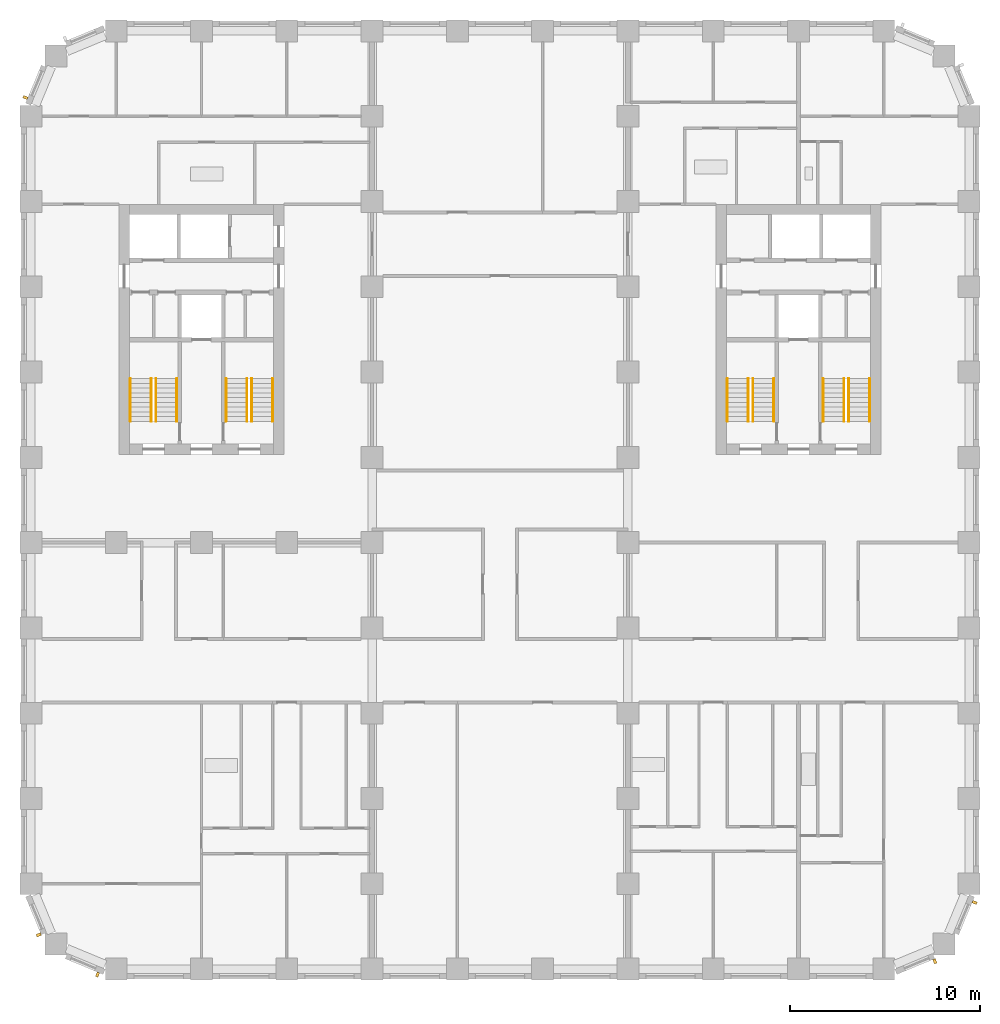
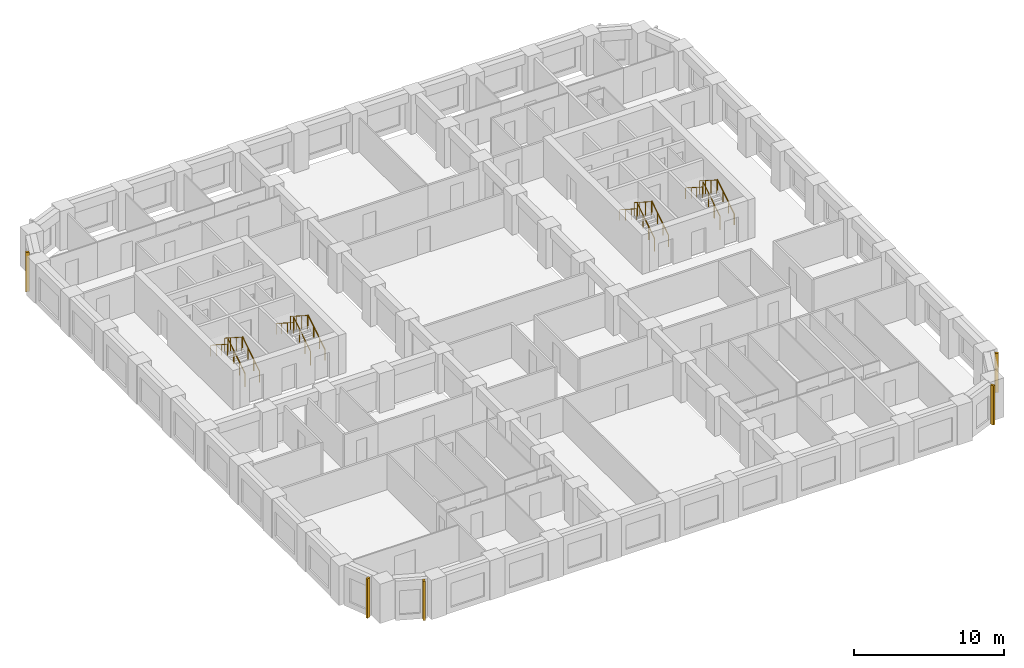
# One storey, part 10 of 12: 16 railings, 5 shading devices.
"""IFC4 building model written with IfcOpenShell, lengths in metres."""

from ifc_helpers import new_model, si_unit, direction, frame, origin, origin_2d, place, context, subcontext, project, spatial, rectangle, circle, extrude, material, type_object, element, save


model = new_model("IFC4")

# Units and contexts
model_context = context("Model", 3, precision=1e-05, world=origin(), true_north=direction((0.0, 1.0)))
body_context = subcontext(model_context, "Body", "Model", "MODEL_VIEW")
ifc_project = project(units=[si_unit("LENGTHUNIT", "METRE"), si_unit("AREAUNIT", "SQUARE_METRE"), si_unit("VOLUMEUNIT", "CUBIC_METRE"), si_unit("PLANEANGLEUNIT", "RADIAN"), si_unit("MASSUNIT", "GRAM", prefix="KILO")], contexts=[model_context])

# Site, building, storey
site_placement = place(None, origin())
site = spatial("IfcSite", under=ifc_project, at=site_placement, CompositionType="ELEMENT")
building_placement = place(site_placement, origin())
building = spatial("IfcBuilding", under=site, at=building_placement, Name="Girih Gate Residences", CompositionType="ELEMENT")
storey_placement = place(building_placement, frame((0.0, 0.0, 108.800048828125)))
storey = spatial("IfcBuildingStorey", under=building, at=storey_placement, Name="L30", CompositionType="ELEMENT", Elevation=108.800048828125)

# Shading devices
ifc_material_1 = material(Name="Precast concrete C50/60", Category="concrete")
shading_device_type = type_object("IfcShadingDeviceType", Name="Corner rib 150x250", PredefinedType="USERDEFINED", material=ifc_material_1)
for number, where, z_axis, x_axis, name in (
    (1, (0.412353515625, 1.8056640625, 0.0), (0.0, 0.0, 1.0), (0.382683432365, -0.923879532511, 0.0), "Corner rib SW0000_0045.0"),
    (2, (3.514892578125, -0.29541015625, 0.0), (0.0, 0.0, 1.0), (0.923879532511, -0.382683432365, 0.0), "Corner rib SW0013_0013.0"),
    (3, (47.6943359375, 0.412353515625, 0.0), (0.0, 0.0, 1.0), (0.923879532511, 0.382683432365, 0.0), "Corner rib SE0450_0000.0"),
    (4, (49.79541015625, 3.514892578125, 0.0), (0.0, 0.0, 1.0), (0.382683432365, 0.923879532511, 0.0), "Corner rib SE0482_0013.0"),
    (5, (-0.29541015625, 45.985107421875, 0.0), (0.0, 0.0, 1.0), (-0.382683432365, -0.923879532511, 0.0), "Corner rib NW0013_0482.0"),
):
    element("IfcShadingDevice", number, at=place(storey_placement, frame(where, z_axis=z_axis, x_axis=x_axis)), inside=storey, type_object=shading_device_type, Name=name, ObjectType="FIN", PredefinedType="USERDEFINED", context=body_context, shape_type="SweptSolid", body=[
        extrude(rectangle(XDim=0.14990234375, YDim=0.25, at=origin_2d()), origin(), (0.0, 0.0, 1.0), 3.199951171875),
    ])

# Railings
ifc_material_2 = material(Name="Stainless steel", Category="steel")
railing_type_1 = type_object("IfcRailingType", Name="Stair guard 1100", PredefinedType="GUARDRAIL", material=ifc_material_2)
railing_1_placement = place(storey_placement, frame((6.60009765625, 28.89990234375, 0.159912109375)))
element("IfcRailing", 6, at=railing_1_placement, inside=storey, type_object=railing_type_1, Name="L30 ST-W1 stair guard 1", PredefinedType="GUARDRAIL", context=body_context, shape_type="SweptSolid", body=[
    extrude(circle(Radius=0.02392578125, at=origin_2d()), frame((0.0, 0.0, 1.076171875), z_axis=(0.0, 0.842281359387, 0.539038135598), x_axis=(-1.0, 0.0, 0.0)), (0.0, 0.0, 1.0), 2.67138671875),
    extrude(circle(Radius=0.02099609375, at=origin_2d()), origin(), (0.0, 0.0, 1.0), 1.052001953125),
    extrude(circle(Radius=0.02099609375, at=origin_2d()), frame((0.0, 0.75, 0.47998046875)), (0.0, 0.0, 1.0), 1.052001953125),
    extrude(circle(Radius=0.02099609375, at=origin_2d()), frame((0.0, 1.5, 0.9599609375)), (0.0, 0.0, 1.0), 1.052001953125),
    extrude(circle(Radius=0.02099609375, at=origin_2d()), frame((0.0, 2.25, 1.43994140625)), (0.0, 0.0, 1.0), 1.052001953125),
])
railing_2_placement = place(storey_placement, frame((6.35009765625, 31.14990234375, 1.760009765625)))
element("IfcRailing", 7, at=railing_2_placement, inside=storey, type_object=railing_type_1, Name="L30 ST-W1 stair guard 2", PredefinedType="GUARDRAIL", context=body_context, shape_type="SweptSolid", body=[
    extrude(circle(Radius=0.02392578125, at=origin_2d()), frame((0.0, 0.0, 1.076171875), z_axis=(0.0, -0.842281359387, 0.539038135598), x_axis=(1.0, 0.0, 0.0)), (0.0, 0.0, 1.0), 2.67138671875),
    extrude(circle(Radius=0.02099609375, at=origin_2d()), origin(), (0.0, 0.0, 1.0), 1.052001953125),
    extrude(circle(Radius=0.02099609375, at=origin_2d()), frame((0.0, -0.75, 0.47998046875)), (0.0, 0.0, 1.0), 1.052001953125),
    extrude(circle(Radius=0.02099609375, at=origin_2d()), frame((0.0, -1.5, 0.9599609375)), (0.0, 0.0, 1.0), 1.052001953125),
    extrude(circle(Radius=0.02099609375, at=origin_2d()), frame((0.0, -2.25, 1.43994140625)), (0.0, 0.0, 1.0), 1.052001953125),
])
railing_3_placement = place(storey_placement, frame((11.64990234375, 28.89990234375, 0.159912109375)))
element("IfcRailing", 8, at=railing_3_placement, inside=storey, type_object=railing_type_1, Name="L30 ST-W2 stair guard 1", PredefinedType="GUARDRAIL", context=body_context, shape_type="SweptSolid", body=[
    extrude(circle(Radius=0.02392578125, at=origin_2d()), frame((0.0, 0.0, 1.076171875), z_axis=(0.0, 0.842281359387, 0.539038135598), x_axis=(-1.0, 0.0, 0.0)), (0.0, 0.0, 1.0), 2.67138671875),
    extrude(circle(Radius=0.02099609375, at=origin_2d()), origin(), (0.0, 0.0, 1.0), 1.052001953125),
    extrude(circle(Radius=0.02099609375, at=origin_2d()), frame((0.0, 0.75, 0.47998046875)), (0.0, 0.0, 1.0), 1.052001953125),
    extrude(circle(Radius=0.02099609375, at=origin_2d()), frame((0.0, 1.5, 0.9599609375)), (0.0, 0.0, 1.0), 1.052001953125),
    extrude(circle(Radius=0.02099609375, at=origin_2d()), frame((0.0, 2.25, 1.43994140625)), (0.0, 0.0, 1.0), 1.052001953125),
])
railing_4_placement = place(storey_placement, frame((11.39990234375, 31.14990234375, 1.760009765625)))
element("IfcRailing", 9, at=railing_4_placement, inside=storey, type_object=railing_type_1, Name="L30 ST-W2 stair guard 2", PredefinedType="GUARDRAIL", context=body_context, shape_type="SweptSolid", body=[
    extrude(circle(Radius=0.02392578125, at=origin_2d()), frame((0.0, 0.0, 1.076171875), z_axis=(0.0, -0.842281359387, 0.539038135598), x_axis=(1.0, 0.0, 0.0)), (0.0, 0.0, 1.0), 2.67138671875),
    extrude(circle(Radius=0.02099609375, at=origin_2d()), origin(), (0.0, 0.0, 1.0), 1.052001953125),
    extrude(circle(Radius=0.02099609375, at=origin_2d()), frame((0.0, -0.75, 0.47998046875)), (0.0, 0.0, 1.0), 1.052001953125),
    extrude(circle(Radius=0.02099609375, at=origin_2d()), frame((0.0, -1.5, 0.9599609375)), (0.0, 0.0, 1.0), 1.052001953125),
    extrude(circle(Radius=0.02099609375, at=origin_2d()), frame((0.0, -2.25, 1.43994140625)), (0.0, 0.0, 1.0), 1.052001953125),
])
railing_5_placement = place(storey_placement, frame((43.14990234375, 28.89990234375, 0.159912109375)))
element("IfcRailing", 10, at=railing_5_placement, inside=storey, type_object=railing_type_1, Name="L30 ST-E1 stair guard 1", PredefinedType="GUARDRAIL", context=body_context, shape_type="SweptSolid", body=[
    extrude(circle(Radius=0.02392578125, at=origin_2d()), frame((0.0, 0.0, 1.076171875), z_axis=(0.0, 0.842281359387, 0.539038135598), x_axis=(-1.0, 0.0, 0.0)), (0.0, 0.0, 1.0), 2.67138671875),
    extrude(circle(Radius=0.02099609375, at=origin_2d()), origin(), (0.0, 0.0, 1.0), 1.052001953125),
    extrude(circle(Radius=0.02099609375, at=origin_2d()), frame((0.0, 0.75, 0.47998046875)), (0.0, 0.0, 1.0), 1.052001953125),
    extrude(circle(Radius=0.02099609375, at=origin_2d()), frame((0.0, 1.5, 0.9599609375)), (0.0, 0.0, 1.0), 1.052001953125),
    extrude(circle(Radius=0.02099609375, at=origin_2d()), frame((0.0, 2.25, 1.43994140625)), (0.0, 0.0, 1.0), 1.052001953125),
])
railing_6_placement = place(storey_placement, frame((42.89990234375, 31.14990234375, 1.760009765625)))
element("IfcRailing", 11, at=railing_6_placement, inside=storey, type_object=railing_type_1, Name="L30 ST-E1 stair guard 2", PredefinedType="GUARDRAIL", context=body_context, shape_type="SweptSolid", body=[
    extrude(circle(Radius=0.02392578125, at=origin_2d()), frame((0.0, 0.0, 1.076171875), z_axis=(0.0, -0.842281359387, 0.539038135598), x_axis=(1.0, 0.0, 0.0)), (0.0, 0.0, 1.0), 2.67138671875),
    extrude(circle(Radius=0.02099609375, at=origin_2d()), origin(), (0.0, 0.0, 1.0), 1.052001953125),
    extrude(circle(Radius=0.02099609375, at=origin_2d()), frame((0.0, -0.75, 0.47998046875)), (0.0, 0.0, 1.0), 1.052001953125),
    extrude(circle(Radius=0.02099609375, at=origin_2d()), frame((0.0, -1.5, 0.9599609375)), (0.0, 0.0, 1.0), 1.052001953125),
    extrude(circle(Radius=0.02099609375, at=origin_2d()), frame((0.0, -2.25, 1.43994140625)), (0.0, 0.0, 1.0), 1.052001953125),
])
railing_7_placement = place(storey_placement, frame((38.10009765625, 28.89990234375, 0.159912109375)))
element("IfcRailing", 12, at=railing_7_placement, inside=storey, type_object=railing_type_1, Name="L30 ST-E2 stair guard 1", PredefinedType="GUARDRAIL", context=body_context, shape_type="SweptSolid", body=[
    extrude(circle(Radius=0.02392578125, at=origin_2d()), frame((0.0, 0.0, 1.076171875), z_axis=(0.0, 0.842281359387, 0.539038135598), x_axis=(-1.0, 0.0, 0.0)), (0.0, 0.0, 1.0), 2.67138671875),
    extrude(circle(Radius=0.02099609375, at=origin_2d()), origin(), (0.0, 0.0, 1.0), 1.052001953125),
    extrude(circle(Radius=0.02099609375, at=origin_2d()), frame((0.0, 0.75, 0.47998046875)), (0.0, 0.0, 1.0), 1.052001953125),
    extrude(circle(Radius=0.02099609375, at=origin_2d()), frame((0.0, 1.5, 0.9599609375)), (0.0, 0.0, 1.0), 1.052001953125),
    extrude(circle(Radius=0.02099609375, at=origin_2d()), frame((0.0, 2.25, 1.43994140625)), (0.0, 0.0, 1.0), 1.052001953125),
])
railing_8_placement = place(storey_placement, frame((37.85009765625, 31.14990234375, 1.760009765625)))
element("IfcRailing", 13, at=railing_8_placement, inside=storey, type_object=railing_type_1, Name="L30 ST-E2 stair guard 2", PredefinedType="GUARDRAIL", context=body_context, shape_type="SweptSolid", body=[
    extrude(circle(Radius=0.02392578125, at=origin_2d()), frame((0.0, 0.0, 1.076171875), z_axis=(0.0, -0.842281359387, 0.539038135598), x_axis=(1.0, 0.0, 0.0)), (0.0, 0.0, 1.0), 2.67138671875),
    extrude(circle(Radius=0.02099609375, at=origin_2d()), origin(), (0.0, 0.0, 1.0), 1.052001953125),
    extrude(circle(Radius=0.02099609375, at=origin_2d()), frame((0.0, -0.75, 0.47998046875)), (0.0, 0.0, 1.0), 1.052001953125),
    extrude(circle(Radius=0.02099609375, at=origin_2d()), frame((0.0, -1.5, 0.9599609375)), (0.0, 0.0, 1.0), 1.052001953125),
    extrude(circle(Radius=0.02099609375, at=origin_2d()), frame((0.0, -2.25, 1.43994140625)), (0.0, 0.0, 1.0), 1.052001953125),
])
railing_type_2 = type_object("IfcRailingType", Name="Stair handrail 900", PredefinedType="HANDRAIL", material=ifc_material_2)
railing_9_placement = place(storey_placement, frame((7.699951171875, 28.89990234375, 0.159912109375)))
element("IfcRailing", 14, at=railing_9_placement, inside=storey, type_object=railing_type_2, Name="L30 ST-W1 stair handrail 1", PredefinedType="HANDRAIL", context=body_context, shape_type="SweptSolid", body=[
    extrude(circle(Radius=0.02392578125, at=origin_2d()), frame((0.0, 0.0, 0.8857421875), z_axis=(0.0, 0.842281359387, 0.539038135598), x_axis=(-1.0, 0.0, 0.0)), (0.0, 0.0, 1.0), 2.67138671875),
    extrude(circle(Radius=0.02099609375, at=origin_2d()), origin(), (0.0, 0.0, 1.0), 0.86181640625),
    extrude(circle(Radius=0.02099609375, at=origin_2d()), frame((0.0, 0.75, 0.47998046875)), (0.0, 0.0, 1.0), 0.86181640625),
    extrude(circle(Radius=0.02099609375, at=origin_2d()), frame((0.0, 1.5, 0.9599609375)), (0.0, 0.0, 1.0), 0.86181640625),
    extrude(circle(Radius=0.02099609375, at=origin_2d()), frame((0.0, 2.25, 1.43994140625)), (0.0, 0.0, 1.0), 0.86181640625),
])
railing_10_placement = place(storey_placement, frame((5.25, 31.14990234375, 1.760009765625)))
element("IfcRailing", 15, at=railing_10_placement, inside=storey, type_object=railing_type_2, Name="L30 ST-W1 stair handrail 2", PredefinedType="HANDRAIL", context=body_context, shape_type="SweptSolid", body=[
    extrude(circle(Radius=0.02392578125, at=origin_2d()), frame((0.0, 0.0, 0.8857421875), z_axis=(0.0, -0.842281359387, 0.539038135598), x_axis=(1.0, 0.0, 0.0)), (0.0, 0.0, 1.0), 2.67138671875),
    extrude(circle(Radius=0.02099609375, at=origin_2d()), origin(), (0.0, 0.0, 1.0), 0.86181640625),
    extrude(circle(Radius=0.02099609375, at=origin_2d()), frame((0.0, -0.75, 0.47998046875)), (0.0, 0.0, 1.0), 0.86181640625),
    extrude(circle(Radius=0.02099609375, at=origin_2d()), frame((0.0, -1.5, 0.9599609375)), (0.0, 0.0, 1.0), 0.86181640625),
    extrude(circle(Radius=0.02099609375, at=origin_2d()), frame((0.0, -2.25, 1.43994140625)), (0.0, 0.0, 1.0), 0.86181640625),
])
railing_11_placement = place(storey_placement, frame((12.75, 28.89990234375, 0.159912109375)))
element("IfcRailing", 16, at=railing_11_placement, inside=storey, type_object=railing_type_2, Name="L30 ST-W2 stair handrail 1", PredefinedType="HANDRAIL", context=body_context, shape_type="SweptSolid", body=[
    extrude(circle(Radius=0.02392578125, at=origin_2d()), frame((0.0, 0.0, 0.8857421875), z_axis=(0.0, 0.842281359387, 0.539038135598), x_axis=(-1.0, 0.0, 0.0)), (0.0, 0.0, 1.0), 2.67138671875),
    extrude(circle(Radius=0.02099609375, at=origin_2d()), origin(), (0.0, 0.0, 1.0), 0.86181640625),
    extrude(circle(Radius=0.02099609375, at=origin_2d()), frame((0.0, 0.75, 0.47998046875)), (0.0, 0.0, 1.0), 0.86181640625),
    extrude(circle(Radius=0.02099609375, at=origin_2d()), frame((0.0, 1.5, 0.9599609375)), (0.0, 0.0, 1.0), 0.86181640625),
    extrude(circle(Radius=0.02099609375, at=origin_2d()), frame((0.0, 2.25, 1.43994140625)), (0.0, 0.0, 1.0), 0.86181640625),
])
railing_12_placement = place(storey_placement, frame((10.300048828125, 31.14990234375, 1.760009765625)))
element("IfcRailing", 17, at=railing_12_placement, inside=storey, type_object=railing_type_2, Name="L30 ST-W2 stair handrail 2", PredefinedType="HANDRAIL", context=body_context, shape_type="SweptSolid", body=[
    extrude(circle(Radius=0.02392578125, at=origin_2d()), frame((0.0, 0.0, 0.8857421875), z_axis=(0.0, -0.842281359387, 0.539038135598), x_axis=(1.0, 0.0, 0.0)), (0.0, 0.0, 1.0), 2.67138671875),
    extrude(circle(Radius=0.02099609375, at=origin_2d()), origin(), (0.0, 0.0, 1.0), 0.86181640625),
    extrude(circle(Radius=0.02099609375, at=origin_2d()), frame((0.0, -0.75, 0.47998046875)), (0.0, 0.0, 1.0), 0.86181640625),
    extrude(circle(Radius=0.02099609375, at=origin_2d()), frame((0.0, -1.5, 0.9599609375)), (0.0, 0.0, 1.0), 0.86181640625),
    extrude(circle(Radius=0.02099609375, at=origin_2d()), frame((0.0, -2.25, 1.43994140625)), (0.0, 0.0, 1.0), 0.86181640625),
])
railing_13_placement = place(storey_placement, frame((44.25, 28.89990234375, 0.159912109375)))
element("IfcRailing", 18, at=railing_13_placement, inside=storey, type_object=railing_type_2, Name="L30 ST-E1 stair handrail 1", PredefinedType="HANDRAIL", context=body_context, shape_type="SweptSolid", body=[
    extrude(circle(Radius=0.02392578125, at=origin_2d()), frame((0.0, 0.0, 0.8857421875), z_axis=(0.0, 0.842281359387, 0.539038135598), x_axis=(-1.0, 0.0, 0.0)), (0.0, 0.0, 1.0), 2.67138671875),
    extrude(circle(Radius=0.02099609375, at=origin_2d()), origin(), (0.0, 0.0, 1.0), 0.86181640625),
    extrude(circle(Radius=0.02099609375, at=origin_2d()), frame((0.0, 0.75, 0.47998046875)), (0.0, 0.0, 1.0), 0.86181640625),
    extrude(circle(Radius=0.02099609375, at=origin_2d()), frame((0.0, 1.5, 0.9599609375)), (0.0, 0.0, 1.0), 0.86181640625),
    extrude(circle(Radius=0.02099609375, at=origin_2d()), frame((0.0, 2.25, 1.43994140625)), (0.0, 0.0, 1.0), 0.86181640625),
])
railing_14_placement = place(storey_placement, frame((41.800048828125, 31.14990234375, 1.760009765625)))
element("IfcRailing", 19, at=railing_14_placement, inside=storey, type_object=railing_type_2, Name="L30 ST-E1 stair handrail 2", PredefinedType="HANDRAIL", context=body_context, shape_type="SweptSolid", body=[
    extrude(circle(Radius=0.02392578125, at=origin_2d()), frame((0.0, 0.0, 0.8857421875), z_axis=(0.0, -0.842281359387, 0.539038135598), x_axis=(1.0, 0.0, 0.0)), (0.0, 0.0, 1.0), 2.67138671875),
    extrude(circle(Radius=0.02099609375, at=origin_2d()), origin(), (0.0, 0.0, 1.0), 0.86181640625),
    extrude(circle(Radius=0.02099609375, at=origin_2d()), frame((0.0, -0.75, 0.47998046875)), (0.0, 0.0, 1.0), 0.86181640625),
    extrude(circle(Radius=0.02099609375, at=origin_2d()), frame((0.0, -1.5, 0.9599609375)), (0.0, 0.0, 1.0), 0.86181640625),
    extrude(circle(Radius=0.02099609375, at=origin_2d()), frame((0.0, -2.25, 1.43994140625)), (0.0, 0.0, 1.0), 0.86181640625),
])
railing_15_placement = place(storey_placement, frame((39.199951171875, 28.89990234375, 0.159912109375)))
element("IfcRailing", 20, at=railing_15_placement, inside=storey, type_object=railing_type_2, Name="L30 ST-E2 stair handrail 1", PredefinedType="HANDRAIL", context=body_context, shape_type="SweptSolid", body=[
    extrude(circle(Radius=0.02392578125, at=origin_2d()), frame((0.0, 0.0, 0.8857421875), z_axis=(0.0, 0.842281359387, 0.539038135598), x_axis=(-1.0, 0.0, 0.0)), (0.0, 0.0, 1.0), 2.67138671875),
    extrude(circle(Radius=0.02099609375, at=origin_2d()), origin(), (0.0, 0.0, 1.0), 0.86181640625),
    extrude(circle(Radius=0.02099609375, at=origin_2d()), frame((0.0, 0.75, 0.47998046875)), (0.0, 0.0, 1.0), 0.86181640625),
    extrude(circle(Radius=0.02099609375, at=origin_2d()), frame((0.0, 1.5, 0.9599609375)), (0.0, 0.0, 1.0), 0.86181640625),
    extrude(circle(Radius=0.02099609375, at=origin_2d()), frame((0.0, 2.25, 1.43994140625)), (0.0, 0.0, 1.0), 0.86181640625),
])
railing_16_placement = place(storey_placement, frame((36.75, 31.14990234375, 1.760009765625)))
element("IfcRailing", 21, at=railing_16_placement, inside=storey, type_object=railing_type_2, Name="L30 ST-E2 stair handrail 2", PredefinedType="HANDRAIL", context=body_context, shape_type="SweptSolid", body=[
    extrude(circle(Radius=0.02392578125, at=origin_2d()), frame((0.0, 0.0, 0.8857421875), z_axis=(0.0, -0.842281359387, 0.539038135598), x_axis=(1.0, 0.0, 0.0)), (0.0, 0.0, 1.0), 2.67138671875),
    extrude(circle(Radius=0.02099609375, at=origin_2d()), origin(), (0.0, 0.0, 1.0), 0.86181640625),
    extrude(circle(Radius=0.02099609375, at=origin_2d()), frame((0.0, -0.75, 0.47998046875)), (0.0, 0.0, 1.0), 0.86181640625),
    extrude(circle(Radius=0.02099609375, at=origin_2d()), frame((0.0, -1.5, 0.9599609375)), (0.0, 0.0, 1.0), 0.86181640625),
    extrude(circle(Radius=0.02099609375, at=origin_2d()), frame((0.0, -2.25, 1.43994140625)), (0.0, 0.0, 1.0), 0.86181640625),
])

save(model, "model.ifc")
